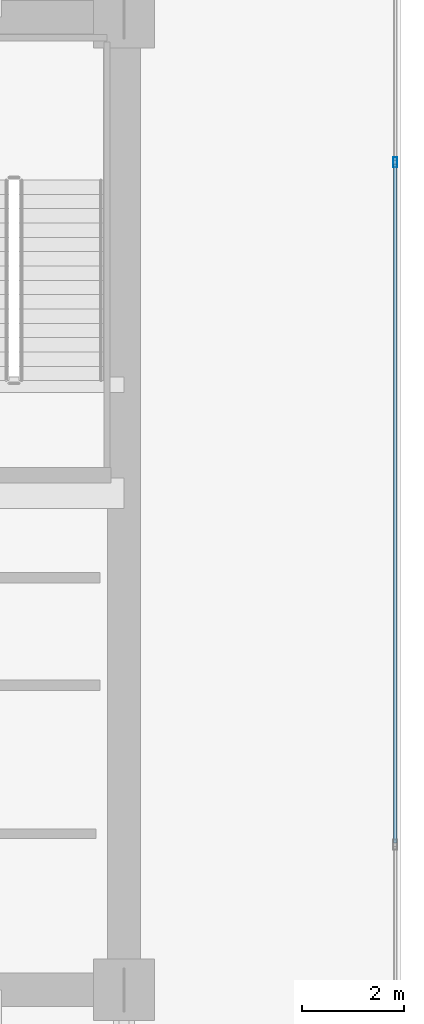
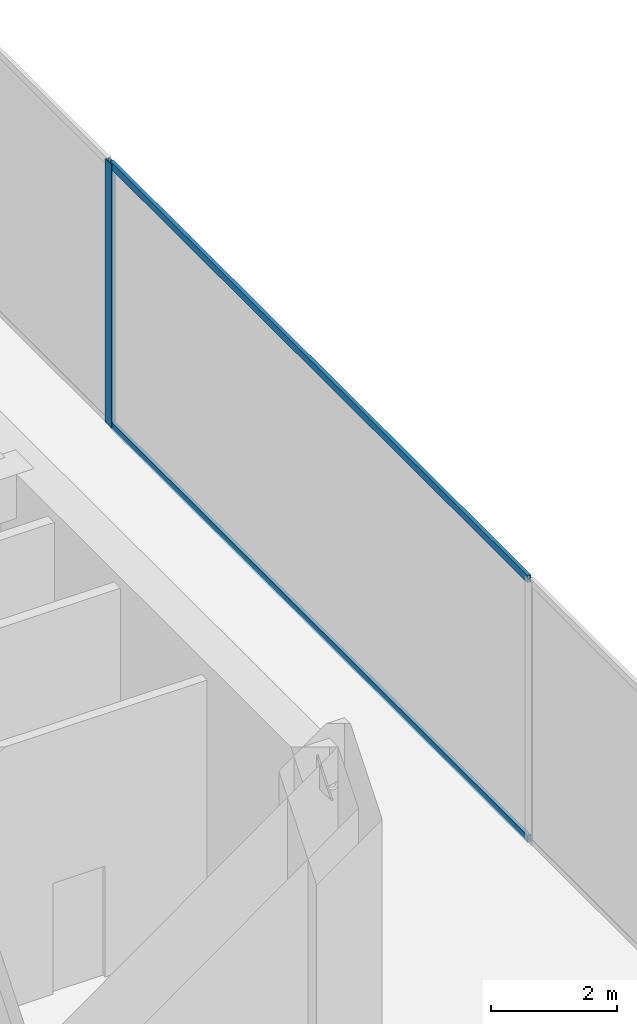
# One storey, part 22 of 34: 3 members, 1 element without a shape of its own.
"""IFC4 building model written with IfcOpenShell, lengths in metres."""

from ifc_helpers import new_model, si_unit, direction, frame, origin, origin_2d, place, context, subcontext, project, spatial, hollow_rectangle, extrude, source, transform, mapped, material, layer, layer_set, material_profile, profile_set, type_object, type_shapes, element, aggregate, save


model = new_model("IFC4")

# Units and contexts
model_context = context("Model", 3, precision=1e-05, world=origin(), true_north=direction((0.0, 1.0)))
body_context = subcontext(model_context, "Body", "Model", "MODEL_VIEW")
ifc_project = project(units=[si_unit("LENGTHUNIT", "METRE"), si_unit("AREAUNIT", "SQUARE_METRE"), si_unit("VOLUMEUNIT", "CUBIC_METRE"), si_unit("PLANEANGLEUNIT", "RADIAN"), si_unit("MASSUNIT", "GRAM", prefix="KILO")], contexts=[model_context])

# Site, building, storey
site_placement = place(None, origin())
site = spatial("IfcSite", under=ifc_project, at=site_placement, CompositionType="ELEMENT")
building_placement = place(site_placement, origin())
building = spatial("IfcBuilding", under=site, at=building_placement, Name="Haelvirn Gate Laboratories", CompositionType="ELEMENT")
storey_placement = place(building_placement, frame((0.0, 0.0, 191.199951171875)))
storey = spatial("IfcBuildingStorey", under=building, at=storey_placement, Name="L46", CompositionType="ELEMENT", Elevation=191.199951171875)

# Curtain wall, members
ifc_material_1 = material(Name="Anodised bronze unitised aluminium & triple low-E glass", Category="aluminium")
ifc_layer = layer(ifc_material_1, 0.179931640625, Name="CW-SYS-3")
ifc_layer_set = layer_set([ifc_layer], Name="Anodised bronze unitised aluminium & triple low-E glass")
curtain_wall_type = type_object("IfcCurtainWallType", Name="CW-SYS-3", PredefinedType="NOTDEFINED", material=ifc_layer_set)
curtain_wall_placement = place(storey_placement, origin())
curtain_wall = element("IfcCurtainWall", 1, at=curtain_wall_placement, inside=storey, type_object=curtain_wall_type, Name="L46 Unitised Curtain Wall CW-L46-P0-E07", PredefinedType="NOTDEFINED")
ifc_material_2 = material(Name="Extruded aluminium 6063-T6 (anodised bronze)", Category="aluminium")
ifc_material_profile_1 = material_profile(ifc_material_2, hollow_rectangle(XDim=0.06494140625, YDim=0.139892578125, WallThickness=0.00390625, at=origin_2d()), Name="CWT-140x65x4")
ifc_profile_set_1 = profile_set([ifc_material_profile_1], Name="Extruded aluminium 6063-T6 (anodised bronze)")
member_type_1 = type_object("IfcMemberType", Name="CWT-T140", PredefinedType="USERDEFINED", material=ifc_profile_set_1)
shared_shape_1 = source(origin(), body_context, "Body", "SweptSolid", [
    extrude(hollow_rectangle(XDim=0.06494140625, YDim=0.139892578125, WallThickness=0.00390625, at=origin_2d()), origin(), (0.0, 0.0, 1.0), 13.25830078125),
])
type_shapes(member_type_1, [shared_shape_1])
member_1_placement = place(storey_placement, frame((72.699951171875, 17.6708984375, 0.032470703125), z_axis=(0.0, 1.0, 0.0), x_axis=(-1.0, 0.0, 0.0)))
member_1 = element("IfcMember", 2, at=member_1_placement, type_object=member_type_1, Name="CW3 transom 2.1", ObjectType="TRANSOM", PredefinedType="USERDEFINED", context=body_context, shape_type="MappedRepresentation", body=[
    mapped(shared_shape_1, transform((0.0, 0.0, 0.0), scale=1.0)),
])
member_2_placement = place(storey_placement, frame((72.699951171875, 17.6708984375, 5.067626953125), z_axis=(0.0, 1.0, 0.0), x_axis=(-1.0, 0.0, 0.0)))
member_2 = element("IfcMember", 3, at=member_2_placement, type_object=member_type_1, Name="CW3 transom 2.2", ObjectType="TRANSOM", PredefinedType="USERDEFINED", context=body_context, shape_type="MappedRepresentation", body=[
    mapped(shared_shape_1, transform((0.0, 0.0, 0.0), scale=1.0)),
])
ifc_material_profile_2 = material_profile(ifc_material_2, hollow_rectangle(XDim=0.074951171875, YDim=0.199951171875, WallThickness=0.0048828125, at=origin_2d()), Name="CWM-200x75x5")
ifc_profile_set_2 = profile_set([ifc_material_profile_2], Name="Extruded aluminium 6063-T6 (anodised bronze)")
member_type_2 = type_object("IfcMemberType", Name="CWM-T200", PredefinedType="MULLION", material=ifc_profile_set_2)
shared_shape_2 = source(origin(), body_context, "Body", "SweptSolid", [
    extrude(hollow_rectangle(XDim=0.074951171875, YDim=0.199951171875, WallThickness=0.0048828125, at=origin_2d()), origin(), (0.0, 0.0, 1.0), 5.10009765625),
])
type_shapes(member_type_2, [shared_shape_2])
member_3_placement = place(storey_placement, frame((72.699951171875, 30.966552734375, 0.0), z_axis=(0.0, 0.0, 1.0), x_axis=(-1.0, 0.0, 0.0)))
member_3 = element("IfcMember", 4, at=member_3_placement, type_object=member_type_2, Name="CW3 mullion 3", PredefinedType="MULLION", context=body_context, shape_type="MappedRepresentation", body=[
    mapped(shared_shape_2, transform((0.0, 0.0, 0.0), scale=1.0)),
])
aggregate(curtain_wall, [member_3, member_1, member_2])

save(model, "model.ifc")
